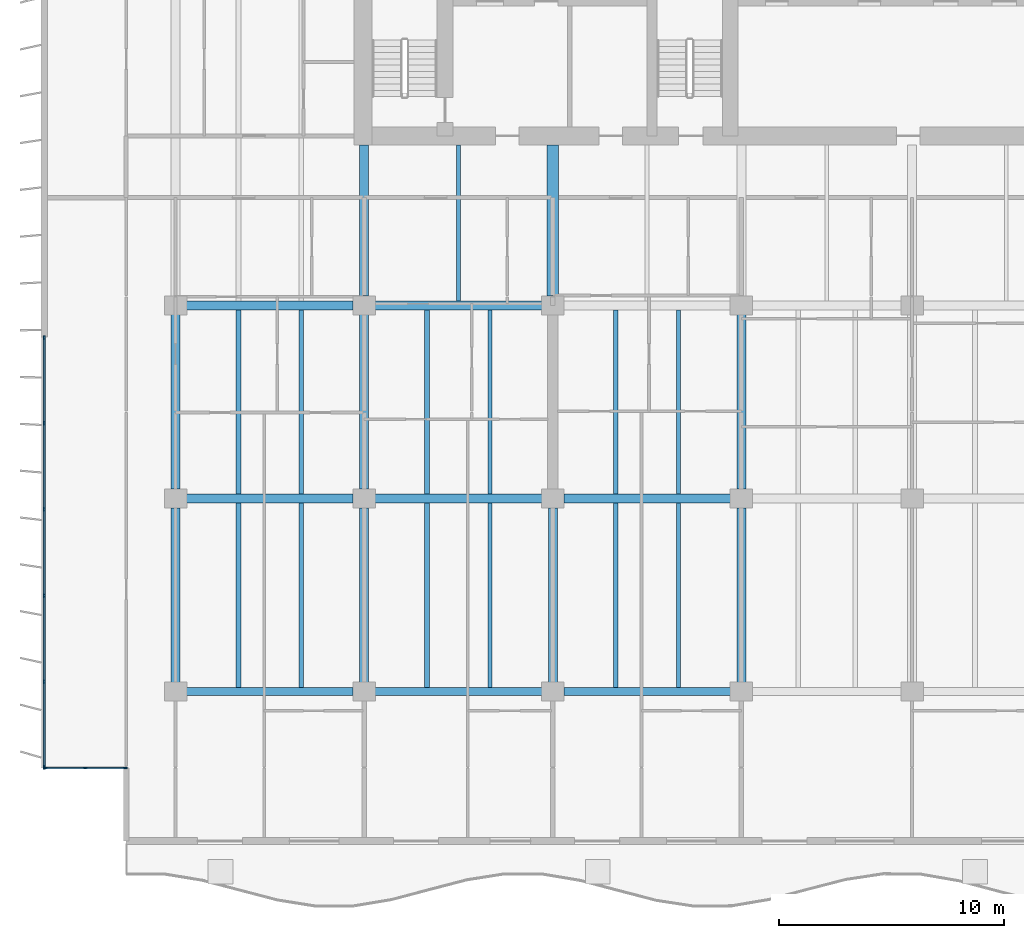
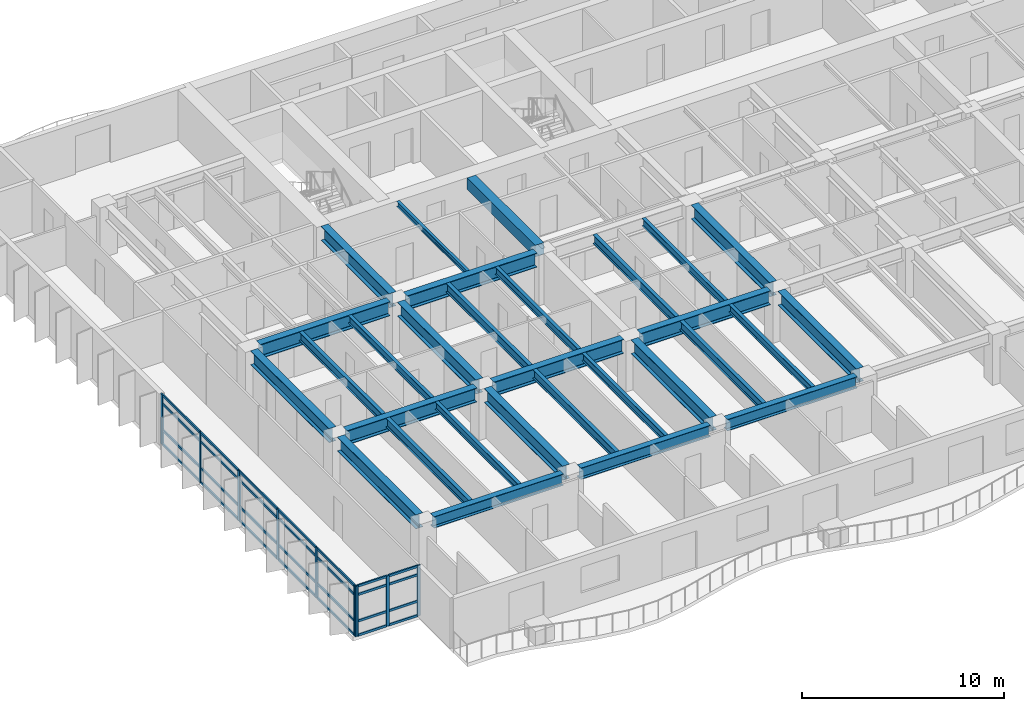
# One storey, part 2 of 16: 37 members, 30 beams, 2 elements without a shape of their own.
"""IFC4 building model written with IfcOpenShell, lengths in metres."""

import ifcopenshell
import ifcopenshell.guid

model = None  # the IFC model being written
_history = None  # IfcOwnerHistory: only IFC2X3 demands one
_inside = {}  # id of a spatial element -> (the spatial element, [elements in it])
_under = {}  # id of a project, library or spatial element -> (it, [spatial elements below it])
_declared = {}  # id of a project -> (the project, [libraries it declares])
_typed = {}  # id of a type object -> (the type object, [elements of that type])
_made_of = {}  # id of a material, layer set ... -> (it, [elements and type objects made of it])


def new_model(schema):
    """Start an empty IFC model of exactly this schema.

    Asked for "IFC4X3", IfcOpenShell would pick the latest addendum, in which some entities
    have other attributes; the version numbers below select the first issue.
    IFC2X3 requires an IfcOwnerHistory on every rooted entity: one is made here for all.
    """
    global model, _history
    if schema == "IFC4X3":
        model = ifcopenshell.file(schema_version=(4, 3, 0, 0))
    else:
        model = ifcopenshell.file(schema=schema)
    _inside.clear()
    _under.clear()
    _declared.clear()
    _typed.clear()
    _made_of.clear()
    _history = None
    if model.schema == "IFC2X3":
        org = make("IfcOrganization", Name="unknown")
        user = make(
            "IfcPersonAndOrganization",
            ThePerson=make("IfcPerson", FamilyName="unknown"),
            TheOrganization=org,
        )
        app = make(
            "IfcApplication",
            ApplicationDeveloper=org,
            Version="unknown",
            ApplicationFullName="unknown",
            ApplicationIdentifier="unknown",
        )
        _history = make(
            "IfcOwnerHistory",
            OwningUser=user,
            OwningApplication=app,
            ChangeAction="ADDED",
            CreationDate=0,
        )
    return model


def make(cls, **values):
    """One entity of the class cls with the attributes given. An attribute that is None is left unset."""
    return model.create_entity(
        cls, **{name: value for name, value in values.items() if value is not None}
    )


def rooted(cls, **values):
    """An entity with a GlobalId (a new one), such as an element, a storey or a relation."""
    return make(cls, GlobalId=ifcopenshell.guid.new(), OwnerHistory=_history, **values)


def si_unit(unit_type, name, prefix=None):
    """IfcSIUnit, for example si_unit("LENGTHUNIT", "METRE", prefix="MILLI")."""
    return make("IfcSIUnit", UnitType=unit_type, Prefix=prefix, Name=name)


def assignment(units):
    """IfcUnitAssignment: the units of a project."""
    return None if units is None else make("IfcUnitAssignment", Units=units)


def point(xyz):
    """IfcCartesianPoint."""
    return None if xyz is None else make("IfcCartesianPoint", Coordinates=xyz)


def direction(xyz):
    """IfcDirection."""
    return None if xyz is None else make("IfcDirection", DirectionRatios=xyz)


def frame(location, z_axis=None, x_axis=None):
    """IfcAxis2Placement3D, a coordinate frame: its origin and axes. An axis left out is left unset."""
    return make(
        "IfcAxis2Placement3D",
        Location=point(location),
        Axis=direction(z_axis),
        RefDirection=direction(x_axis),
    )


def frame_2d(location, x_axis=None):
    """IfcAxis2Placement2D, a coordinate frame in the plane: its origin and x axis."""
    return make(
        "IfcAxis2Placement2D", Location=point(location), RefDirection=direction(x_axis)
    )


def origin():
    """The frame at (0, 0, 0) with its axes left unset."""
    return frame((0.0, 0.0, 0.0))


def origin_2d():
    """The frame at (0, 0) in the plane with its x axis left unset."""
    return frame_2d((0.0, 0.0))


def place(relative_to, where):
    """IfcLocalPlacement: puts the frame where relative to a parent placement (None: the world)."""
    return make(
        "IfcLocalPlacement", PlacementRelTo=relative_to, RelativePlacement=where
    )


def context(
    kind, dimensions, precision=None, world=None, true_north=None, identifier=None
):
    """IfcGeometricRepresentationContext, for example the 3D "Model" context."""
    return make(
        "IfcGeometricRepresentationContext",
        ContextIdentifier=identifier,
        ContextType=kind,
        CoordinateSpaceDimension=dimensions,
        Precision=precision,
        WorldCoordinateSystem=world,
        TrueNorth=true_north,
    )


def subcontext(parent, identifier, kind, view, scale=None):
    """IfcGeometricRepresentationSubContext, for example "Body" below "Model"."""
    return make(
        "IfcGeometricRepresentationSubContext",
        ContextIdentifier=identifier,
        ContextType=kind,
        ParentContext=parent,
        TargetScale=scale,
        TargetView=view,
    )


def project(units=None, contexts=None):
    """IfcProject with its units and contexts."""
    return rooted(
        "IfcProject",
        Name="project",
        RepresentationContexts=contexts,
        UnitsInContext=assignment(units),
    )


def spatial(cls, under=None, at=None, **own):
    """A site, building, storey or space (cls), placed at a placement, below another one or the project."""
    s = rooted(cls, ObjectPlacement=at, **own)
    if under is not None:
        _under.setdefault(under.id(), (under, []))[1].append(s)
    return s


def profile(cls, at=None, kind="AREA", **sizes):
    """A parametric profile (cls). Its sizes go by their IFC names, for example OverallWidth=200.0."""
    return make(cls, ProfileType=kind, Position=at, **sizes)


def rectangle(**sizes):
    """IfcRectangleProfileDef."""
    return profile("IfcRectangleProfileDef", **sizes)


def i_section(**sizes):
    """IfcIShapeProfileDef."""
    return profile("IfcIShapeProfileDef", **sizes)


def extrude(swept, where, along, depth):
    """IfcExtrudedAreaSolid: the profile swept, set in the frame where, extruded along a direction by depth."""
    return make(
        "IfcExtrudedAreaSolid",
        SweptArea=swept,
        Position=where,
        ExtrudedDirection=direction(along),
        Depth=depth,
    )


def shape(context_of_items, identifier, shape_type, items):
    """IfcShapeRepresentation: the items that make up one representation, for example the "Body"."""
    return make(
        "IfcShapeRepresentation",
        ContextOfItems=context_of_items,
        RepresentationIdentifier=identifier,
        RepresentationType=shape_type,
        Items=items,
    )


def material(Name=None, Category=None):
    """IfcMaterial."""
    return make("IfcMaterial", Name=Name, Category=Category)


def layer(
    of_material, thickness, ventilated=None, Name=None, Category=None, Priority=None
):
    """IfcMaterialLayer: one layer of a wall or slab, of a material (None: an air gap)."""
    return make(
        "IfcMaterialLayer",
        Material=of_material,
        LayerThickness=thickness,
        IsVentilated=ventilated,
        Name=Name,
        Category=Category,
        Priority=Priority,
    )


def layer_set(layers, Name=None):
    """IfcMaterialLayerSet."""
    return make("IfcMaterialLayerSet", MaterialLayers=layers, LayerSetName=Name)


def material_profile(
    of_material, cross_section, Name=None, Category=None, Priority=None
):
    """IfcMaterialProfile: a cross section and its material."""
    return make(
        "IfcMaterialProfile",
        Name=Name,
        Material=of_material,
        Profile=cross_section,
        Priority=Priority,
        Category=Category,
    )


def profile_set(profiles, Name=None, composite=None):
    """IfcMaterialProfileSet."""
    return make(
        "IfcMaterialProfileSet",
        Name=Name,
        MaterialProfiles=profiles,
        CompositeProfile=composite,
    )


def made_of(thing, what):
    """Note that an element or type object is made of a material, layer set ...; save() writes the relation."""
    if what is not None:
        _made_of.setdefault(what.id(), (what, []))[1].append(thing)
    return thing


def type_object(cls, material=None, **own):
    """A type object (cls), such as IfcWallType, which elements share."""
    return made_of(rooted(cls, **own), material)


def element(
    cls,
    number,
    at=None,
    inside=None,
    cuts=None,
    type_object=None,
    material=None,
    context=None,
    identifier="Body",
    shape_type=None,
    held_by="IfcProductDefinitionShape",
    body=None,
    shapes=None,
    **own,
):
    """One element of the class cls, such as IfcWall. Its Tag is "e" and its number.

    at: its placement. inside: the storey or other place that contains it. cuts: it is an
    opening in that element (IfcRelVoidsElement). A single representation is given by context,
    identifier, shape_type and body (its items); several are given by shapes. held_by: the class
    of the entity that holds the representations. save() writes the other relations.
    """
    e = rooted(cls, Tag="e%d" % number, ObjectPlacement=at, **own)
    if body is not None:
        shapes = [shape(context, identifier, shape_type, body)]
    if shapes is not None:
        e.Representation = make(held_by, Representations=shapes)
    if inside is not None:
        _inside.setdefault(inside.id(), (inside, []))[1].append(e)
    if cuts is not None:
        rooted(
            "IfcRelVoidsElement", RelatingBuildingElement=cuts, RelatedOpeningElement=e
        )
    if type_object is not None:
        _typed.setdefault(type_object.id(), (type_object, []))[1].append(e)
    return made_of(e, material)


def aggregate(whole, parts):
    """IfcRelAggregates: a whole, such as a stair, and the parts it consists of."""
    return rooted("IfcRelAggregates", RelatingObject=whole, RelatedObjects=parts)


def save(model, path):
    """Write the relations noted so far, then the file.

    IfcRelAggregates (storeys below a building ...), IfcRelContainedInSpatialStructure (elements
    in a storey), IfcRelDefinesByType, IfcRelAssociatesMaterial and IfcRelDeclares: one each for
    every whole, place, type object, material and project.
    """
    for whole, parts in _under.values():
        aggregate(whole, parts)
    for where, things in _inside.values():
        rooted(
            "IfcRelContainedInSpatialStructure",
            RelatedElements=things,
            RelatingStructure=where,
        )
    for kind, things in _typed.values():
        rooted("IfcRelDefinesByType", RelatedObjects=things, RelatingType=kind)
    for what, things in _made_of.values():
        rooted("IfcRelAssociatesMaterial", RelatedObjects=things, RelatingMaterial=what)
    for by, libraries in _declared.values():
        rooted("IfcRelDeclares", RelatingContext=by, RelatedDefinitions=libraries)
    model.write(path)


model = new_model("IFC4")

# Units and contexts
model_context = context("Model", 3, precision=1e-05, world=origin(), true_north=direction((0.0, 1.0)))
body_context = subcontext(model_context, "Body", "Model", "MODEL_VIEW")
ifc_project = project(units=[si_unit("LENGTHUNIT", "METRE"), si_unit("AREAUNIT", "SQUARE_METRE"), si_unit("VOLUMEUNIT", "CUBIC_METRE"), si_unit("PLANEANGLEUNIT", "RADIAN"), si_unit("MASSUNIT", "GRAM", prefix="KILO")], contexts=[model_context])

# Site, building, storey
site_placement = place(None, origin())
site = spatial("IfcSite", under=ifc_project, at=site_placement, CompositionType="ELEMENT")
building_placement = place(site_placement, origin())
building = spatial("IfcBuilding", under=site, at=building_placement, Name="Caelmar Bay Residences", CompositionType="ELEMENT")
storey_placement = place(building_placement, frame((0.0, 0.0, 145.5)))
storey = spatial("IfcBuildingStorey", under=building, at=storey_placement, Name="L40", CompositionType="ELEMENT", Elevation=145.5)

# Beams
ifc_material_1 = material(Name="Steel ASTM A992 Grade 50", Category="steel")
ifc_material_profile_1 = material_profile(ifc_material_1, i_section(OverallWidth=0.40087890625, OverallDepth=0.861083984375, WebThickness=0.019775390625, FlangeThickness=0.032470703125, FilletRadius=0.017822265625, at=origin_2d()), Name="W33X221")
ifc_profile_set_1 = profile_set([ifc_material_profile_1], Name="Steel ASTM A992 Grade 50")
beam_type_1 = type_object("IfcBeamType", Name="BM-GRD-W33X221", PredefinedType="BEAM", material=ifc_profile_set_1)
beam_1_placement = place(storey_placement, frame((10.389892578125, 20.800048828125, 2.619384765625), z_axis=(1.0, 0.0, 0.0), x_axis=(0.0, 1.0, 0.0)))
element("IfcBeam", 1, at=beam_1_placement, inside=storey, type_object=beam_type_1, Name="L40 East-West Girder Y=20.80 (9.9-18.3)", PredefinedType="BEAM", context=body_context, shape_type="SweptSolid", body=[
    extrude(i_section(OverallWidth=0.40087890625, OverallDepth=0.861083984375, WebThickness=0.019775390625, FlangeThickness=0.032470703125, FilletRadius=0.017822265625, at=origin_2d()), origin(), (0.0, 0.0, 1.0), 7.420166015625),
])
beam_2_placement = place(storey_placement, frame((18.7900390625, 20.800048828125, 2.619384765625), z_axis=(1.0, 0.0, 0.0), x_axis=(0.0, 1.0, 0.0)))
element("IfcBeam", 2, at=beam_2_placement, inside=storey, type_object=beam_type_1, Name="L40 East-West Girder Y=20.80 (18.3-26.7)", PredefinedType="BEAM", context=body_context, shape_type="SweptSolid", body=[
    extrude(i_section(OverallWidth=0.40087890625, OverallDepth=0.861083984375, WebThickness=0.019775390625, FlangeThickness=0.032470703125, FilletRadius=0.017822265625, at=origin_2d()), origin(), (0.0, 0.0, 1.0), 7.419921875),
])
for number, where, z_axis, x_axis, name in (
    (3, (27.18994140625, 20.800048828125, 2.619384765625), (1.0, 0.0, 0.0), (0.0, 1.0, 0.0), "L40 East-West Girder Y=20.80 (26.7-35.1)"),
    (4, (10.389892578125, 29.39990234375, 2.619384765625), (1.0, 0.0, 0.0), (0.0, 1.0, 0.0), "L40 East-West Girder Y=29.40 (9.9-18.3)"),
):
    element("IfcBeam", number, at=place(storey_placement, frame(where, z_axis=z_axis, x_axis=x_axis)), inside=storey, type_object=beam_type_1, Name=name, PredefinedType="BEAM", context=body_context, shape_type="SweptSolid", body=[
        extrude(i_section(OverallWidth=0.40087890625, OverallDepth=0.861083984375, WebThickness=0.019775390625, FlangeThickness=0.032470703125, FilletRadius=0.017822265625, at=origin_2d()), origin(), (0.0, 0.0, 1.0), 7.420166015625),
    ])
beam_3_placement = place(storey_placement, frame((18.7900390625, 29.39990234375, 2.619384765625), z_axis=(1.0, 0.0, 0.0), x_axis=(0.0, 1.0, 0.0)))
element("IfcBeam", 5, at=beam_3_placement, inside=storey, type_object=beam_type_1, Name="L40 East-West Girder Y=29.40 (18.3-26.7)", PredefinedType="BEAM", context=body_context, shape_type="SweptSolid", body=[
    extrude(i_section(OverallWidth=0.40087890625, OverallDepth=0.861083984375, WebThickness=0.019775390625, FlangeThickness=0.032470703125, FilletRadius=0.017822265625, at=origin_2d()), origin(), (0.0, 0.0, 1.0), 7.419921875),
])
for number, where, z_axis, x_axis, name in (
    (6, (9.89990234375, 12.614990234375, 2.619384765625), (0.0, 1.0, 0.0), (-1.0, 0.0, 0.0), "L40 North-South Girder X=9.90 (12.2-20.8)"),
    (7, (9.89990234375, 21.215087890625, 2.619384765625), (0.0, 1.0, 0.0), (-1.0, 0.0, 0.0), "L40 North-South Girder X=9.90 (20.8-29.4)"),
):
    element("IfcBeam", number, at=place(storey_placement, frame(where, z_axis=z_axis, x_axis=x_axis)), inside=storey, type_object=beam_type_1, Name=name, PredefinedType="BEAM", context=body_context, shape_type="SweptSolid", body=[
        extrude(i_section(OverallWidth=0.40087890625, OverallDepth=0.861083984375, WebThickness=0.019775390625, FlangeThickness=0.032470703125, FilletRadius=0.017822265625, at=origin_2d()), origin(), (0.0, 0.0, 1.0), 7.77001953125),
    ])
beam_4_placement = place(storey_placement, frame((18.300048828125, 29.81494140625, 2.619384765625), z_axis=(0.0, 1.0, 0.0), x_axis=(-1.0, 0.0, 0.0)))
element("IfcBeam", 8, at=beam_4_placement, inside=storey, type_object=beam_type_1, Name="L40 Core Tie Girder X=18.30", PredefinedType="BEAM", context=body_context, shape_type="SweptSolid", body=[
    extrude(i_section(OverallWidth=0.40087890625, OverallDepth=0.861083984375, WebThickness=0.019775390625, FlangeThickness=0.032470703125, FilletRadius=0.017822265625, at=origin_2d()), origin(), (0.0, 0.0, 1.0), 6.735107421875),
])
for number, where, z_axis, x_axis, name in (
    (9, (18.300048828125, 12.614990234375, 2.619384765625), (0.0, 1.0, 0.0), (-1.0, 0.0, 0.0), "L40 North-South Girder X=18.30 (12.2-20.8)"),
    (10, (18.300048828125, 21.215087890625, 2.619384765625), (0.0, 1.0, 0.0), (-1.0, 0.0, 0.0), "L40 North-South Girder X=18.30 (20.8-29.4)"),
    (11, (26.699951171875, 12.614990234375, 2.619384765625), (0.0, 1.0, 0.0), (-1.0, 0.0, 0.0), "L40 North-South Girder X=26.70 (12.2-20.8)"),
    (12, (35.10009765625, 12.614990234375, 2.619384765625), (0.0, 1.0, 0.0), (-1.0, 0.0, 0.0), "L40 North-South Girder X=35.10 (12.2-20.8)"),
    (13, (35.10009765625, 21.215087890625, 2.619384765625), (0.0, 1.0, 0.0), (-1.0, 0.0, 0.0), "L40 North-South Girder X=35.10 (20.8-29.4)"),
):
    element("IfcBeam", number, at=place(storey_placement, frame(where, z_axis=z_axis, x_axis=x_axis)), inside=storey, type_object=beam_type_1, Name=name, PredefinedType="BEAM", context=body_context, shape_type="SweptSolid", body=[
        extrude(i_section(OverallWidth=0.40087890625, OverallDepth=0.861083984375, WebThickness=0.019775390625, FlangeThickness=0.032470703125, FilletRadius=0.017822265625, at=origin_2d()), origin(), (0.0, 0.0, 1.0), 7.77001953125),
    ])
ifc_material_profile_2 = material_profile(ifc_material_1, i_section(OverallWidth=0.1650390625, OverallDepth=0.31005859375, WebThickness=0.005859375, FlangeThickness=0.009765625, FilletRadius=0.007568359375, at=origin_2d()), Name="W12X26")
ifc_profile_set_2 = profile_set([ifc_material_profile_2], Name="Steel ASTM A992 Grade 50")
beam_type_2 = type_object("IfcBeamType", Name="BM-JST-W12X26", PredefinedType="JOIST", material=ifc_profile_set_2)
beam_5_placement = place(storey_placement, frame((22.5, 29.6005859375, 2.89501953125), z_axis=(0.0, 1.0, 0.0), x_axis=(-1.0, 0.0, 0.0)))
element("IfcBeam", 14, at=beam_5_placement, inside=storey, type_object=beam_type_2, Name="L40 Core-Band Composite Joist 29", PredefinedType="JOIST", context=body_context, shape_type="SweptSolid", body=[
    extrude(i_section(OverallWidth=0.1650390625, OverallDepth=0.31005859375, WebThickness=0.005859375, FlangeThickness=0.009765625, FilletRadius=0.007568359375, at=origin_2d()), origin(), (0.0, 0.0, 1.0), 6.949462890625),
])
ifc_material_profile_3 = material_profile(ifc_material_1, i_section(OverallWidth=0.19091796875, OverallDepth=0.45703125, WebThickness=0.009033203125, FlangeThickness=0.014404296875, FilletRadius=0.01025390625, at=origin_2d()), Name="W18X50")
ifc_profile_set_3 = profile_set([ifc_material_profile_3], Name="Steel ASTM A992 Grade 50")
beam_type_3 = type_object("IfcBeamType", Name="BM-JST-W18X50", PredefinedType="JOIST", material=ifc_profile_set_3)
for number, where, z_axis, x_axis, name in (
    (15, (15.5, 12.3779296875, 2.821533203125), (0.0, 1.0, 0.0), (-1.0, 0.0, 0.0), "L40 Composite Floor Joist 2"),
    (16, (23.89990234375, 12.3779296875, 2.821533203125), (0.0, 1.0, 0.0), (-1.0, 0.0, 0.0), "L40 Composite Floor Joist 4"),
    (17, (32.300048828125, 12.3779296875, 2.821533203125), (0.0, 1.0, 0.0), (-1.0, 0.0, 0.0), "L40 Composite Floor Joist 6"),
):
    element("IfcBeam", number, at=place(storey_placement, frame(where, z_axis=z_axis, x_axis=x_axis)), inside=storey, type_object=beam_type_3, Name=name, PredefinedType="JOIST", context=body_context, shape_type="SweptSolid", body=[
        extrude(i_section(OverallWidth=0.19091796875, OverallDepth=0.45703125, WebThickness=0.009033203125, FlangeThickness=0.014404296875, FilletRadius=0.01025390625, at=origin_2d()), origin(), (0.0, 0.0, 1.0), 8.2216796875),
    ])
for number, where, z_axis, x_axis, name in (
    (18, (15.5, 21.00048828125, 2.821533203125), (0.0, 1.0, 0.0), (-1.0, 0.0, 0.0), "L40 Composite Floor Joist 16"),
    (19, (23.89990234375, 21.00048828125, 2.821533203125), (0.0, 1.0, 0.0), (-1.0, 0.0, 0.0), "L40 Composite Floor Joist 18"),
    (20, (32.300048828125, 21.00048828125, 2.821533203125), (0.0, 1.0, 0.0), (-1.0, 0.0, 0.0), "L40 Composite Floor Joist 20"),
):
    element("IfcBeam", number, at=place(storey_placement, frame(where, z_axis=z_axis, x_axis=x_axis)), inside=storey, type_object=beam_type_3, Name=name, PredefinedType="JOIST", context=body_context, shape_type="SweptSolid", body=[
        extrude(i_section(OverallWidth=0.19091796875, OverallDepth=0.45703125, WebThickness=0.009033203125, FlangeThickness=0.014404296875, FilletRadius=0.01025390625, at=origin_2d()), origin(), (0.0, 0.0, 1.0), 8.198974609375),
    ])
ifc_material_profile_4 = material_profile(ifc_material_1, i_section(OverallWidth=0.2099609375, OverallDepth=0.535888671875, WebThickness=0.010986328125, FlangeThickness=0.017333984375, FilletRadius=0.0126953125, at=origin_2d()), Name="W21X68")
ifc_profile_set_4 = profile_set([ifc_material_profile_4], Name="Steel ASTM A992 Grade 50")
beam_type_4 = type_object("IfcBeamType", Name="BM-JST-W21X68", PredefinedType="JOIST", material=ifc_profile_set_4)
for number, where, z_axis, x_axis, name in (
    (21, (12.699951171875, 12.3779296875, 2.781982421875), (0.0, 1.0, 0.0), (-1.0, 0.0, 0.0), "L40 Composite Floor Joist 1"),
    (22, (21.10009765625, 12.3779296875, 2.781982421875), (0.0, 1.0, 0.0), (-1.0, 0.0, 0.0), "L40 Composite Floor Joist 3"),
    (23, (29.5, 12.3779296875, 2.781982421875), (0.0, 1.0, 0.0), (-1.0, 0.0, 0.0), "L40 Composite Floor Joist 5"),
):
    element("IfcBeam", number, at=place(storey_placement, frame(where, z_axis=z_axis, x_axis=x_axis)), inside=storey, type_object=beam_type_4, Name=name, PredefinedType="JOIST", context=body_context, shape_type="SweptSolid", body=[
        extrude(i_section(OverallWidth=0.2099609375, OverallDepth=0.535888671875, WebThickness=0.010986328125, FlangeThickness=0.017333984375, FilletRadius=0.0126953125, at=origin_2d()), origin(), (0.0, 0.0, 1.0), 8.2216796875),
    ])
for number, where, z_axis, x_axis, name in (
    (24, (12.699951171875, 21.00048828125, 2.781982421875), (0.0, 1.0, 0.0), (-1.0, 0.0, 0.0), "L40 Composite Floor Joist 15"),
    (25, (21.10009765625, 21.00048828125, 2.781982421875), (0.0, 1.0, 0.0), (-1.0, 0.0, 0.0), "L40 Composite Floor Joist 17"),
    (26, (29.5, 21.00048828125, 2.781982421875), (0.0, 1.0, 0.0), (-1.0, 0.0, 0.0), "L40 Composite Floor Joist 19"),
):
    element("IfcBeam", number, at=place(storey_placement, frame(where, z_axis=z_axis, x_axis=x_axis)), inside=storey, type_object=beam_type_4, Name=name, PredefinedType="JOIST", context=body_context, shape_type="SweptSolid", body=[
        extrude(i_section(OverallWidth=0.2099609375, OverallDepth=0.535888671875, WebThickness=0.010986328125, FlangeThickness=0.017333984375, FilletRadius=0.0126953125, at=origin_2d()), origin(), (0.0, 0.0, 1.0), 8.198974609375),
    ])
ifc_material_2 = material(Name="Concrete f'c 55 MPa (8,000 psi)", Category="concrete")
ifc_material_profile_5 = material_profile(ifc_material_2, rectangle(XDim=0.5, YDim=0.699951171875, at=origin_2d()), Name="RC-BM-500X700")
ifc_profile_set_5 = profile_set([ifc_material_profile_5], Name="Concrete f'c 55 MPa (8,000 psi)")
beam_type_5 = type_object("IfcBeamType", Name="BM-RC-500X700", PredefinedType="LINTEL", material=ifc_profile_set_5)
beam_6_placement = place(storey_placement, frame((26.699951171875, 29.81494140625, 2.699951171875), z_axis=(0.0, 1.0, 0.0), x_axis=(-1.0, 0.0, 0.0)))
element("IfcBeam", 27, at=beam_6_placement, inside=storey, type_object=beam_type_5, Name="L40 Shear-Wall Corridor Coupling Lintel W5", PredefinedType="LINTEL", context=body_context, shape_type="SweptSolid", body=[
    extrude(rectangle(XDim=0.5, YDim=0.699951171875, at=origin_2d()), origin(), (0.0, 0.0, 1.0), 6.735107421875),
])
ifc_material_profile_6 = material_profile(ifc_material_1, i_section(OverallWidth=0.35595703125, OverallDepth=0.696044921875, WebThickness=0.015380859375, FlangeThickness=0.02490234375, FilletRadius=0.01513671875, at=origin_2d()), Name="W27X146")
ifc_profile_set_6 = profile_set([ifc_material_profile_6], Name="Steel ASTM A992 Grade 50")
beam_type_6 = type_object("IfcBeamType", Name="BM-SPN-W27X146", PredefinedType="SPANDREL", material=ifc_profile_set_6)
beam_7_placement = place(storey_placement, frame((10.389892578125, 12.199951171875, 2.701904296875), z_axis=(1.0, 0.0, 0.0), x_axis=(0.0, 1.0, 0.0)))
element("IfcBeam", 28, at=beam_7_placement, inside=storey, type_object=beam_type_6, Name="L40 East-West Girder Y=12.20 (9.9-18.3)", PredefinedType="SPANDREL", context=body_context, shape_type="SweptSolid", body=[
    extrude(i_section(OverallWidth=0.35595703125, OverallDepth=0.696044921875, WebThickness=0.015380859375, FlangeThickness=0.02490234375, FilletRadius=0.01513671875, at=origin_2d()), origin(), (0.0, 0.0, 1.0), 7.420166015625),
])
beam_8_placement = place(storey_placement, frame((18.7900390625, 12.199951171875, 2.701904296875), z_axis=(1.0, 0.0, 0.0), x_axis=(0.0, 1.0, 0.0)))
element("IfcBeam", 29, at=beam_8_placement, inside=storey, type_object=beam_type_6, Name="L40 East-West Girder Y=12.20 (18.3-26.7)", PredefinedType="SPANDREL", context=body_context, shape_type="SweptSolid", body=[
    extrude(i_section(OverallWidth=0.35595703125, OverallDepth=0.696044921875, WebThickness=0.015380859375, FlangeThickness=0.02490234375, FilletRadius=0.01513671875, at=origin_2d()), origin(), (0.0, 0.0, 1.0), 7.419921875),
])
beam_9_placement = place(storey_placement, frame((27.18994140625, 12.199951171875, 2.701904296875), z_axis=(1.0, 0.0, 0.0), x_axis=(0.0, 1.0, 0.0)))
element("IfcBeam", 30, at=beam_9_placement, inside=storey, type_object=beam_type_6, Name="L40 East-West Girder Y=12.20 (26.7-35.1)", PredefinedType="SPANDREL", context=body_context, shape_type="SweptSolid", body=[
    extrude(i_section(OverallWidth=0.35595703125, OverallDepth=0.696044921875, WebThickness=0.015380859375, FlangeThickness=0.02490234375, FilletRadius=0.01513671875, at=origin_2d()), origin(), (0.0, 0.0, 1.0), 7.420166015625),
])

# Curtain wall, members
ifc_material_3 = material(Name="Anodised bronze aluminium 6063-T6 and laminated glass", Category="aluminium")
ifc_layer_1 = layer(ifc_material_3, 0.179931640625)
ifc_layer_set_1 = layer_set([ifc_layer_1], Name="Anodised bronze aluminium 6063-T6 and laminated glass")
curtain_wall_type_1 = type_object("IfcCurtainWallType", Name="CW6-NTC", PredefinedType="NOTDEFINED", material=ifc_layer_set_1)
curtain_wall_1_placement = place(storey_placement, origin())
curtain_wall_1 = element("IfcCurtainWall", 31, at=curtain_wall_1_placement, inside=storey, type_object=curtain_wall_type_1, Name="CW6 curtain wall L40", PredefinedType="NOTDEFINED")
ifc_material_4 = material(Name="Anodised bronze aluminium 6063-T6", Category="aluminium")
ifc_material_profile_7 = material_profile(ifc_material_4, rectangle(XDim=0.080078125, YDim=0.179931640625, at=origin_2d()), Name="CWM-80X180")
ifc_profile_set_7 = profile_set([ifc_material_profile_7], Name="Anodised bronze aluminium 6063-T6")
member_type_1 = type_object("IfcMemberType", Name="CWM-180", PredefinedType="MULLION", material=ifc_profile_set_7)
member_1_placement = place(storey_placement, frame((4.090087890625, 8.800048828125, 0.0), z_axis=(0.0, 0.0, 1.0), x_axis=(0.0, 1.0, 0.0)))
member_1 = element("IfcMember", 32, at=member_1_placement, type_object=member_type_1, Name="CW6 mullion 1", PredefinedType="MULLION", context=body_context, shape_type="SweptSolid", body=[
    extrude(rectangle(XDim=0.080078125, YDim=0.179931640625, at=origin_2d()), origin(), (0.0, 0.0, 1.0), 3.050048828125),
])
member_2_placement = place(storey_placement, frame((5.875, 8.800048828125, 0.0), z_axis=(0.0, 0.0, 1.0), x_axis=(0.0, 1.0, 0.0)))
member_2 = element("IfcMember", 33, at=member_2_placement, type_object=member_type_1, Name="CW6 mullion 2", PredefinedType="MULLION", context=body_context, shape_type="SweptSolid", body=[
    extrude(rectangle(XDim=0.080078125, YDim=0.179931640625, at=origin_2d()), origin(), (0.0, 0.0, 1.0), 3.050048828125),
])
member_3_placement = place(storey_placement, frame((7.659912109375, 8.800048828125, 0.0), z_axis=(0.0, 0.0, 1.0), x_axis=(0.0, 1.0, 0.0)))
member_3 = element("IfcMember", 34, at=member_3_placement, type_object=member_type_1, Name="CW6 mullion 3", PredefinedType="MULLION", context=body_context, shape_type="SweptSolid", body=[
    extrude(rectangle(XDim=0.080078125, YDim=0.179931640625, at=origin_2d()), origin(), (0.0, 0.0, 1.0), 3.050048828125),
])

ifc_layer_2 = layer(ifc_material_3, 0.179931640625)
ifc_layer_set_2 = layer_set([ifc_layer_2], Name="Anodised bronze aluminium 6063-T6 and laminated glass")
curtain_wall_type_2 = type_object("IfcCurtainWallType", Name="CW3-Z2", PredefinedType="NOTDEFINED", material=ifc_layer_set_2)
curtain_wall_2_placement = place(storey_placement, origin())
curtain_wall_2 = element("IfcCurtainWall", 35, at=curtain_wall_2_placement, inside=storey, type_object=curtain_wall_type_2, Name="CW3 curtain wall L40", PredefinedType="NOTDEFINED")
member_4_placement = place(storey_placement, frame((4.050048828125, 8.840087890625, 0.0), z_axis=(0.0, 0.0, 1.0), x_axis=(-1.0, 0.0, 0.0)))
member_4 = element("IfcMember", 36, at=member_4_placement, type_object=member_type_1, Name="CW3 mullion 1", PredefinedType="MULLION", context=body_context, shape_type="SweptSolid", body=[
    extrude(rectangle(XDim=0.080078125, YDim=0.179931640625, at=origin_2d()), origin(), (0.0, 0.0, 1.0), 3.050048828125),
])
member_5_placement = place(storey_placement, frame((4.050048828125, 12.639892578125, 0.0), z_axis=(0.0, 0.0, 1.0), x_axis=(-1.0, 0.0, 0.0)))
member_5 = element("IfcMember", 37, at=member_5_placement, type_object=member_type_1, Name="CW3 mullion 2", PredefinedType="MULLION", context=body_context, shape_type="SweptSolid", body=[
    extrude(rectangle(XDim=0.080078125, YDim=0.179931640625, at=origin_2d()), origin(), (0.0, 0.0, 1.0), 3.050048828125),
])
member_6_placement = place(storey_placement, frame((4.050048828125, 16.47998046875, 0.0), z_axis=(0.0, 0.0, 1.0), x_axis=(-1.0, 0.0, 0.0)))
member_6 = element("IfcMember", 38, at=member_6_placement, type_object=member_type_1, Name="CW3 mullion 3", PredefinedType="MULLION", context=body_context, shape_type="SweptSolid", body=[
    extrude(rectangle(XDim=0.080078125, YDim=0.179931640625, at=origin_2d()), origin(), (0.0, 0.0, 1.0), 3.050048828125),
])
member_7_placement = place(storey_placement, frame((4.050048828125, 20.320068359375, 0.0), z_axis=(0.0, 0.0, 1.0), x_axis=(-1.0, 0.0, 0.0)))
member_7 = element("IfcMember", 39, at=member_7_placement, type_object=member_type_1, Name="CW3 mullion 4", PredefinedType="MULLION", context=body_context, shape_type="SweptSolid", body=[
    extrude(rectangle(XDim=0.080078125, YDim=0.179931640625, at=origin_2d()), origin(), (0.0, 0.0, 1.0), 3.050048828125),
])
member_8_placement = place(storey_placement, frame((4.050048828125, 24.159912109375, 0.0), z_axis=(0.0, 0.0, 1.0), x_axis=(-1.0, 0.0, 0.0)))
member_8 = element("IfcMember", 40, at=member_8_placement, type_object=member_type_1, Name="CW3 mullion 5", PredefinedType="MULLION", context=body_context, shape_type="SweptSolid", body=[
    extrude(rectangle(XDim=0.080078125, YDim=0.179931640625, at=origin_2d()), origin(), (0.0, 0.0, 1.0), 3.050048828125),
])
member_9_placement = place(storey_placement, frame((4.050048828125, 27.9599609375, 0.0), z_axis=(0.0, 0.0, 1.0), x_axis=(-1.0, 0.0, 0.0)))
member_9 = element("IfcMember", 41, at=member_9_placement, type_object=member_type_1, Name="CW3 mullion 6", PredefinedType="MULLION", context=body_context, shape_type="SweptSolid", body=[
    extrude(rectangle(XDim=0.080078125, YDim=0.179931640625, at=origin_2d()), origin(), (0.0, 0.0, 1.0), 3.050048828125),
])

# Member
ifc_material_profile_8 = material_profile(ifc_material_4, rectangle(XDim=0.080078125, YDim=0.139892578125, at=origin_2d()), Name="CWT-80X140")
ifc_profile_set_8 = profile_set([ifc_material_profile_8], Name="Anodised bronze aluminium 6063-T6")
member_type_2 = type_object("IfcMemberType", Name="CWT-140", PredefinedType="NOTDEFINED", material=ifc_profile_set_8)
member_10_placement = place(storey_placement, frame((4.1298828125, 8.800048828125, 0.0400390625), z_axis=(1.0, 0.0, 0.0), x_axis=(0.0, 1.0, 0.0)))
member_10 = element("IfcMember", 42, at=member_10_placement, type_object=member_type_2, Name="CW6 transom 1.1", ObjectType="TRANSOM", PredefinedType="USERDEFINED", context=body_context, shape_type="SweptSolid", body=[
    extrude(rectangle(XDim=0.080078125, YDim=0.139892578125, at=origin_2d()), origin(), (0.0, 0.0, 1.0), 1.705078125),
])

member_11_placement = place(storey_placement, frame((4.1298828125, 8.800048828125, 0.89990234375), z_axis=(1.0, 0.0, 0.0), x_axis=(0.0, 1.0, 0.0)))
member_11 = element("IfcMember", 43, at=member_11_placement, type_object=member_type_2, Name="CW6 transom 1.2", ObjectType="TRANSOM", PredefinedType="USERDEFINED", context=body_context, shape_type="SweptSolid", body=[
    extrude(rectangle(XDim=0.080078125, YDim=0.139892578125, at=origin_2d()), origin(), (0.0, 0.0, 1.0), 1.705078125),
])

member_12_placement = place(storey_placement, frame((4.1298828125, 8.800048828125, 2.5), z_axis=(1.0, 0.0, 0.0), x_axis=(0.0, 1.0, 0.0)))
member_12 = element("IfcMember", 44, at=member_12_placement, type_object=member_type_2, Name="CW6 transom 1.3", ObjectType="TRANSOM", PredefinedType="USERDEFINED", context=body_context, shape_type="SweptSolid", body=[
    extrude(rectangle(XDim=0.080078125, YDim=0.139892578125, at=origin_2d()), origin(), (0.0, 0.0, 1.0), 1.705078125),
])

member_13_placement = place(storey_placement, frame((4.1298828125, 8.800048828125, 3.010009765625), z_axis=(1.0, 0.0, 0.0), x_axis=(0.0, 1.0, 0.0)))
member_13 = element("IfcMember", 45, at=member_13_placement, type_object=member_type_2, Name="CW6 transom 1.4", ObjectType="TRANSOM", PredefinedType="USERDEFINED", context=body_context, shape_type="SweptSolid", body=[
    extrude(rectangle(XDim=0.080078125, YDim=0.139892578125, at=origin_2d()), origin(), (0.0, 0.0, 1.0), 1.705078125),
])

member_14_placement = place(storey_placement, frame((5.9150390625, 8.800048828125, 0.0400390625), z_axis=(1.0, 0.0, 0.0), x_axis=(0.0, 1.0, 0.0)))
member_14 = element("IfcMember", 46, at=member_14_placement, type_object=member_type_2, Name="CW6 transom 2.1", ObjectType="TRANSOM", PredefinedType="USERDEFINED", context=body_context, shape_type="SweptSolid", body=[
    extrude(rectangle(XDim=0.080078125, YDim=0.139892578125, at=origin_2d()), origin(), (0.0, 0.0, 1.0), 1.705078125),
])

member_15_placement = place(storey_placement, frame((5.9150390625, 8.800048828125, 0.89990234375), z_axis=(1.0, 0.0, 0.0), x_axis=(0.0, 1.0, 0.0)))
member_15 = element("IfcMember", 47, at=member_15_placement, type_object=member_type_2, Name="CW6 transom 2.2", ObjectType="TRANSOM", PredefinedType="USERDEFINED", context=body_context, shape_type="SweptSolid", body=[
    extrude(rectangle(XDim=0.080078125, YDim=0.139892578125, at=origin_2d()), origin(), (0.0, 0.0, 1.0), 1.705078125),
])

member_16_placement = place(storey_placement, frame((5.9150390625, 8.800048828125, 2.5), z_axis=(1.0, 0.0, 0.0), x_axis=(0.0, 1.0, 0.0)))
member_16 = element("IfcMember", 48, at=member_16_placement, type_object=member_type_2, Name="CW6 transom 2.3", ObjectType="TRANSOM", PredefinedType="USERDEFINED", context=body_context, shape_type="SweptSolid", body=[
    extrude(rectangle(XDim=0.080078125, YDim=0.139892578125, at=origin_2d()), origin(), (0.0, 0.0, 1.0), 1.705078125),
])

member_17_placement = place(storey_placement, frame((5.9150390625, 8.800048828125, 3.010009765625), z_axis=(1.0, 0.0, 0.0), x_axis=(0.0, 1.0, 0.0)))
member_17 = element("IfcMember", 49, at=member_17_placement, type_object=member_type_2, Name="CW6 transom 2.4", ObjectType="TRANSOM", PredefinedType="USERDEFINED", context=body_context, shape_type="SweptSolid", body=[
    extrude(rectangle(XDim=0.080078125, YDim=0.139892578125, at=origin_2d()), origin(), (0.0, 0.0, 1.0), 1.705078125),
])

aggregate(curtain_wall_1, [member_1, member_2, member_3, member_10, member_11, member_12, member_13, member_14, member_15, member_16, member_17])

member_18_placement = place(storey_placement, frame((4.050048828125, 8.8798828125, 0.0400390625), z_axis=(0.0, 1.0, 0.0), x_axis=(-1.0, 0.0, 0.0)))
member_18 = element("IfcMember", 50, at=member_18_placement, type_object=member_type_2, Name="CW3 transom 1.1", ObjectType="TRANSOM", PredefinedType="USERDEFINED", context=body_context, shape_type="SweptSolid", body=[
    extrude(rectangle(XDim=0.080078125, YDim=0.139892578125, at=origin_2d()), origin(), (0.0, 0.0, 1.0), 3.72021484375),
])

member_19_placement = place(storey_placement, frame((4.050048828125, 8.8798828125, 0.89990234375), z_axis=(0.0, 1.0, 0.0), x_axis=(-1.0, 0.0, 0.0)))
member_19 = element("IfcMember", 51, at=member_19_placement, type_object=member_type_2, Name="CW3 transom 1.2", ObjectType="TRANSOM", PredefinedType="USERDEFINED", context=body_context, shape_type="SweptSolid", body=[
    extrude(rectangle(XDim=0.080078125, YDim=0.139892578125, at=origin_2d()), origin(), (0.0, 0.0, 1.0), 3.72021484375),
])

member_20_placement = place(storey_placement, frame((4.050048828125, 8.8798828125, 2.5), z_axis=(0.0, 1.0, 0.0), x_axis=(-1.0, 0.0, 0.0)))
member_20 = element("IfcMember", 52, at=member_20_placement, type_object=member_type_2, Name="CW3 transom 1.3", ObjectType="TRANSOM", PredefinedType="USERDEFINED", context=body_context, shape_type="SweptSolid", body=[
    extrude(rectangle(XDim=0.080078125, YDim=0.139892578125, at=origin_2d()), origin(), (0.0, 0.0, 1.0), 3.72021484375),
])

member_21_placement = place(storey_placement, frame((4.050048828125, 8.8798828125, 3.010009765625), z_axis=(0.0, 1.0, 0.0), x_axis=(-1.0, 0.0, 0.0)))
member_21 = element("IfcMember", 53, at=member_21_placement, type_object=member_type_2, Name="CW3 transom 1.4", ObjectType="TRANSOM", PredefinedType="USERDEFINED", context=body_context, shape_type="SweptSolid", body=[
    extrude(rectangle(XDim=0.080078125, YDim=0.139892578125, at=origin_2d()), origin(), (0.0, 0.0, 1.0), 3.72021484375),
])

member_22_placement = place(storey_placement, frame((4.050048828125, 12.679931640625, 0.0400390625), z_axis=(0.0, 1.0, 0.0), x_axis=(-1.0, 0.0, 0.0)))
member_22 = element("IfcMember", 54, at=member_22_placement, type_object=member_type_2, Name="CW3 transom 2.1", ObjectType="TRANSOM", PredefinedType="USERDEFINED", context=body_context, shape_type="SweptSolid", body=[
    extrude(rectangle(XDim=0.080078125, YDim=0.139892578125, at=origin_2d()), origin(), (0.0, 0.0, 1.0), 3.760009765625),
])

member_23_placement = place(storey_placement, frame((4.050048828125, 12.679931640625, 0.89990234375), z_axis=(0.0, 1.0, 0.0), x_axis=(-1.0, 0.0, 0.0)))
member_23 = element("IfcMember", 55, at=member_23_placement, type_object=member_type_2, Name="CW3 transom 2.2", ObjectType="TRANSOM", PredefinedType="USERDEFINED", context=body_context, shape_type="SweptSolid", body=[
    extrude(rectangle(XDim=0.080078125, YDim=0.139892578125, at=origin_2d()), origin(), (0.0, 0.0, 1.0), 3.760009765625),
])

member_24_placement = place(storey_placement, frame((4.050048828125, 12.679931640625, 2.5), z_axis=(0.0, 1.0, 0.0), x_axis=(-1.0, 0.0, 0.0)))
member_24 = element("IfcMember", 56, at=member_24_placement, type_object=member_type_2, Name="CW3 transom 2.3", ObjectType="TRANSOM", PredefinedType="USERDEFINED", context=body_context, shape_type="SweptSolid", body=[
    extrude(rectangle(XDim=0.080078125, YDim=0.139892578125, at=origin_2d()), origin(), (0.0, 0.0, 1.0), 3.760009765625),
])

member_25_placement = place(storey_placement, frame((4.050048828125, 12.679931640625, 3.010009765625), z_axis=(0.0, 1.0, 0.0), x_axis=(-1.0, 0.0, 0.0)))
member_25 = element("IfcMember", 57, at=member_25_placement, type_object=member_type_2, Name="CW3 transom 2.4", ObjectType="TRANSOM", PredefinedType="USERDEFINED", context=body_context, shape_type="SweptSolid", body=[
    extrude(rectangle(XDim=0.080078125, YDim=0.139892578125, at=origin_2d()), origin(), (0.0, 0.0, 1.0), 3.760009765625),
])

member_26_placement = place(storey_placement, frame((4.050048828125, 16.52001953125, 0.0400390625), z_axis=(0.0, 1.0, 0.0), x_axis=(-1.0, 0.0, 0.0)))
member_26 = element("IfcMember", 58, at=member_26_placement, type_object=member_type_2, Name="CW3 transom 3.1", ObjectType="TRANSOM", PredefinedType="USERDEFINED", context=body_context, shape_type="SweptSolid", body=[
    extrude(rectangle(XDim=0.080078125, YDim=0.139892578125, at=origin_2d()), origin(), (0.0, 0.0, 1.0), 3.760009765625),
])

member_27_placement = place(storey_placement, frame((4.050048828125, 16.52001953125, 0.89990234375), z_axis=(0.0, 1.0, 0.0), x_axis=(-1.0, 0.0, 0.0)))
member_27 = element("IfcMember", 59, at=member_27_placement, type_object=member_type_2, Name="CW3 transom 3.2", ObjectType="TRANSOM", PredefinedType="USERDEFINED", context=body_context, shape_type="SweptSolid", body=[
    extrude(rectangle(XDim=0.080078125, YDim=0.139892578125, at=origin_2d()), origin(), (0.0, 0.0, 1.0), 3.760009765625),
])

member_28_placement = place(storey_placement, frame((4.050048828125, 16.52001953125, 2.5), z_axis=(0.0, 1.0, 0.0), x_axis=(-1.0, 0.0, 0.0)))
member_28 = element("IfcMember", 60, at=member_28_placement, type_object=member_type_2, Name="CW3 transom 3.3", ObjectType="TRANSOM", PredefinedType="USERDEFINED", context=body_context, shape_type="SweptSolid", body=[
    extrude(rectangle(XDim=0.080078125, YDim=0.139892578125, at=origin_2d()), origin(), (0.0, 0.0, 1.0), 3.760009765625),
])

member_29_placement = place(storey_placement, frame((4.050048828125, 16.52001953125, 3.010009765625), z_axis=(0.0, 1.0, 0.0), x_axis=(-1.0, 0.0, 0.0)))
member_29 = element("IfcMember", 61, at=member_29_placement, type_object=member_type_2, Name="CW3 transom 3.4", ObjectType="TRANSOM", PredefinedType="USERDEFINED", context=body_context, shape_type="SweptSolid", body=[
    extrude(rectangle(XDim=0.080078125, YDim=0.139892578125, at=origin_2d()), origin(), (0.0, 0.0, 1.0), 3.760009765625),
])

member_30_placement = place(storey_placement, frame((4.050048828125, 20.360107421875, 0.0400390625), z_axis=(0.0, 1.0, 0.0), x_axis=(-1.0, 0.0, 0.0)))
member_30 = element("IfcMember", 62, at=member_30_placement, type_object=member_type_2, Name="CW3 transom 4.1", ObjectType="TRANSOM", PredefinedType="USERDEFINED", context=body_context, shape_type="SweptSolid", body=[
    extrude(rectangle(XDim=0.080078125, YDim=0.139892578125, at=origin_2d()), origin(), (0.0, 0.0, 1.0), 3.760009765625),
])

member_31_placement = place(storey_placement, frame((4.050048828125, 20.360107421875, 0.89990234375), z_axis=(0.0, 1.0, 0.0), x_axis=(-1.0, 0.0, 0.0)))
member_31 = element("IfcMember", 63, at=member_31_placement, type_object=member_type_2, Name="CW3 transom 4.2", ObjectType="TRANSOM", PredefinedType="USERDEFINED", context=body_context, shape_type="SweptSolid", body=[
    extrude(rectangle(XDim=0.080078125, YDim=0.139892578125, at=origin_2d()), origin(), (0.0, 0.0, 1.0), 3.760009765625),
])

member_32_placement = place(storey_placement, frame((4.050048828125, 20.360107421875, 2.5), z_axis=(0.0, 1.0, 0.0), x_axis=(-1.0, 0.0, 0.0)))
member_32 = element("IfcMember", 64, at=member_32_placement, type_object=member_type_2, Name="CW3 transom 4.3", ObjectType="TRANSOM", PredefinedType="USERDEFINED", context=body_context, shape_type="SweptSolid", body=[
    extrude(rectangle(XDim=0.080078125, YDim=0.139892578125, at=origin_2d()), origin(), (0.0, 0.0, 1.0), 3.760009765625),
])

member_33_placement = place(storey_placement, frame((4.050048828125, 20.360107421875, 3.010009765625), z_axis=(0.0, 1.0, 0.0), x_axis=(-1.0, 0.0, 0.0)))
member_33 = element("IfcMember", 65, at=member_33_placement, type_object=member_type_2, Name="CW3 transom 4.4", ObjectType="TRANSOM", PredefinedType="USERDEFINED", context=body_context, shape_type="SweptSolid", body=[
    extrude(rectangle(XDim=0.080078125, YDim=0.139892578125, at=origin_2d()), origin(), (0.0, 0.0, 1.0), 3.760009765625),
])

member_34_placement = place(storey_placement, frame((4.050048828125, 24.199951171875, 0.0400390625), z_axis=(0.0, 1.0, 0.0), x_axis=(-1.0, 0.0, 0.0)))
member_34 = element("IfcMember", 66, at=member_34_placement, type_object=member_type_2, Name="CW3 transom 5.1", ObjectType="TRANSOM", PredefinedType="USERDEFINED", context=body_context, shape_type="SweptSolid", body=[
    extrude(rectangle(XDim=0.080078125, YDim=0.139892578125, at=origin_2d()), origin(), (0.0, 0.0, 1.0), 3.719970703125),
])

member_35_placement = place(storey_placement, frame((4.050048828125, 24.199951171875, 0.89990234375), z_axis=(0.0, 1.0, 0.0), x_axis=(-1.0, 0.0, 0.0)))
member_35 = element("IfcMember", 67, at=member_35_placement, type_object=member_type_2, Name="CW3 transom 5.2", ObjectType="TRANSOM", PredefinedType="USERDEFINED", context=body_context, shape_type="SweptSolid", body=[
    extrude(rectangle(XDim=0.080078125, YDim=0.139892578125, at=origin_2d()), origin(), (0.0, 0.0, 1.0), 3.719970703125),
])

member_36_placement = place(storey_placement, frame((4.050048828125, 24.199951171875, 2.5), z_axis=(0.0, 1.0, 0.0), x_axis=(-1.0, 0.0, 0.0)))
member_36 = element("IfcMember", 68, at=member_36_placement, type_object=member_type_2, Name="CW3 transom 5.3", ObjectType="TRANSOM", PredefinedType="USERDEFINED", context=body_context, shape_type="SweptSolid", body=[
    extrude(rectangle(XDim=0.080078125, YDim=0.139892578125, at=origin_2d()), origin(), (0.0, 0.0, 1.0), 3.719970703125),
])

member_37_placement = place(storey_placement, frame((4.050048828125, 24.199951171875, 3.010009765625), z_axis=(0.0, 1.0, 0.0), x_axis=(-1.0, 0.0, 0.0)))
member_37 = element("IfcMember", 69, at=member_37_placement, type_object=member_type_2, Name="CW3 transom 5.4", ObjectType="TRANSOM", PredefinedType="USERDEFINED", context=body_context, shape_type="SweptSolid", body=[
    extrude(rectangle(XDim=0.080078125, YDim=0.139892578125, at=origin_2d()), origin(), (0.0, 0.0, 1.0), 3.719970703125),
])

aggregate(curtain_wall_2, [member_4, member_5, member_6, member_7, member_8, member_9, member_18, member_19, member_20, member_21, member_22, member_23, member_24, member_25, member_26, member_27, member_28, member_29, member_30, member_31, member_32, member_33, member_34, member_35, member_36, member_37])

save(model, "model.ifc")
